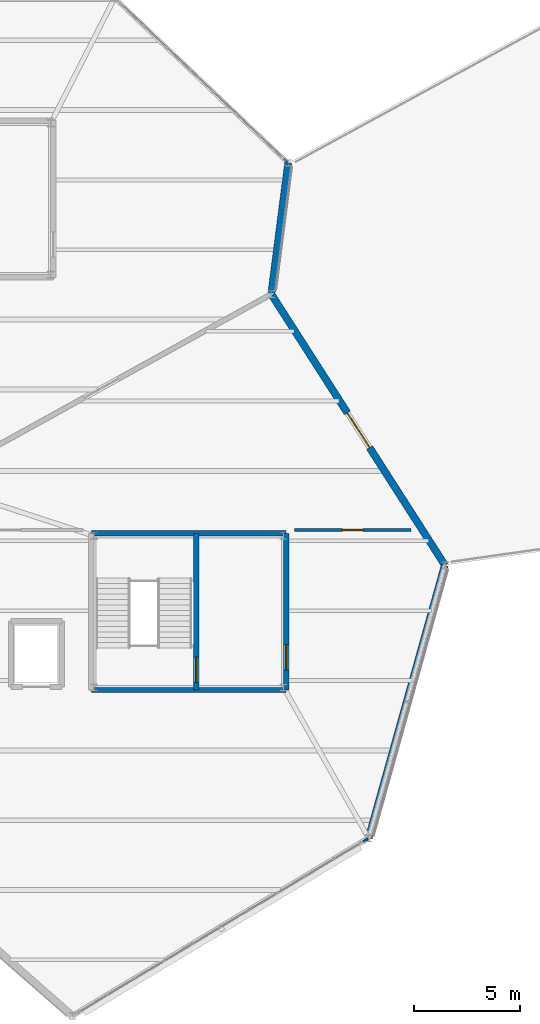
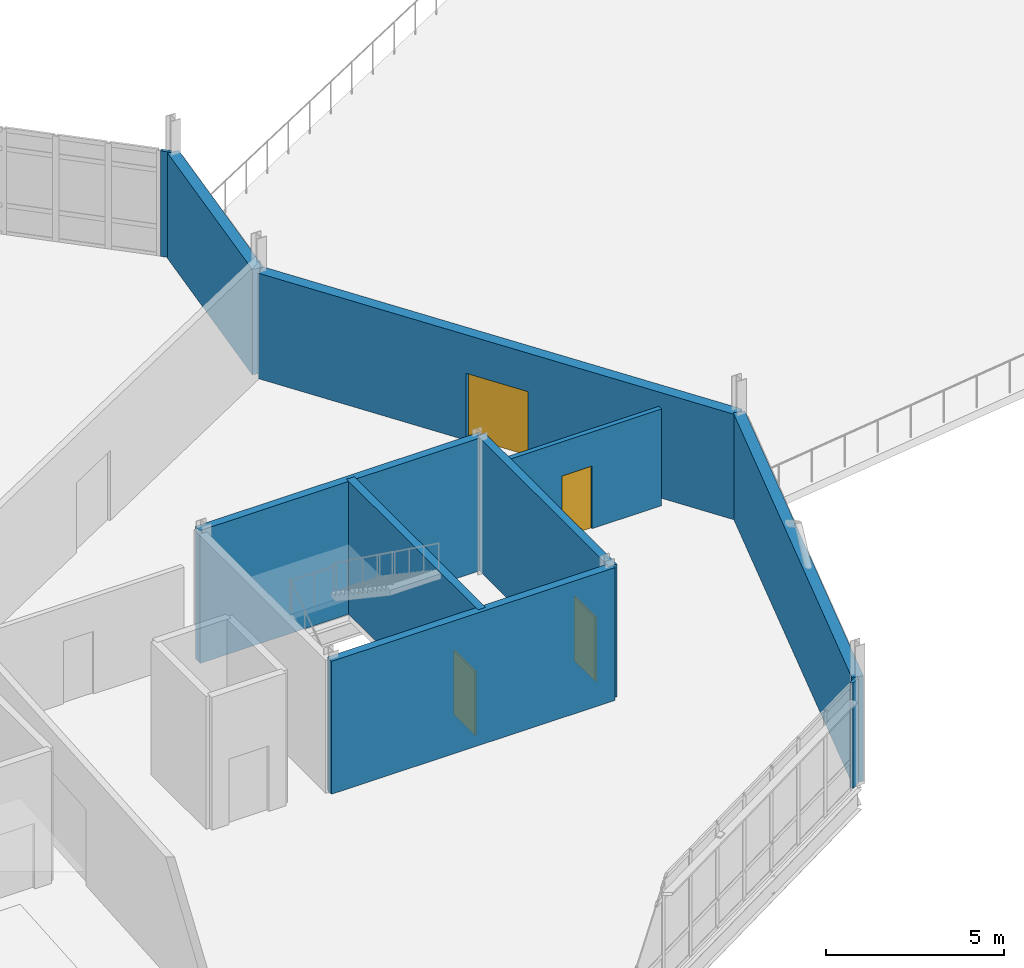
# One storey, part 66 of 76: 10 walls, 4 doors, 4 openings.
"""IFC4 building model written with IfcOpenShell, lengths in metres."""

from ifc_helpers import new_model, si_unit, direction, frame, frame_2d, origin, place, context, subcontext, project, spatial, rectangle, extrude, material, layer, layer_set, type_object, element, fill, save


model = new_model("IFC4")

# Units and contexts
model_context = context("Model", 3, precision=1e-05, world=origin(), true_north=direction((0.0, 1.0)))
body_context = subcontext(model_context, "Body", "Model", "MODEL_VIEW")
ifc_project = project(units=[si_unit("LENGTHUNIT", "METRE"), si_unit("AREAUNIT", "SQUARE_METRE"), si_unit("VOLUMEUNIT", "CUBIC_METRE"), si_unit("PLANEANGLEUNIT", "RADIAN"), si_unit("MASSUNIT", "GRAM", prefix="KILO")], contexts=[model_context])

# Site, building, storey
site_placement = place(None, origin())
site = spatial("IfcSite", under=ifc_project, at=site_placement, CompositionType="ELEMENT")
building_placement = place(site_placement, origin())
building = spatial("IfcBuilding", under=site, at=building_placement, Name="Tameran Prism Museum", CompositionType="ELEMENT")
storey_placement = place(building_placement, frame((0.0, 0.0, 15.0)))
storey = spatial("IfcBuildingStorey", under=building, at=storey_placement, Name="L03", CompositionType="ELEMENT", Elevation=15.0)

# Walls
ifc_material_1 = material(Name="Precast Concrete N40 (40 MPa)", Category="concrete")
ifc_layer_1 = layer(ifc_material_1, 0.094970703125)
ifc_layer_set_1 = layer_set([ifc_layer_1])
wall_type_1 = type_object("IfcWallType", Name="EW-CLOS-095", PredefinedType="SOLIDWALL", material=ifc_layer_set_1)
wall_1_placement = place(storey_placement, frame((139.464111328125, 72.278076171875, 0.0), z_axis=(0.0, 0.0, 1.0), x_axis=(-0.858261853705, -0.513212032668, 0.0)))
element("IfcWall", 1, at=wall_1_placement, inside=storey, type_object=wall_type_1, Name="Facade Corner Closure EW-0364", PredefinedType="SOLIDWALL", context=body_context, shape_type="SweptSolid", body=[
    extrude(rectangle(XDim=0.307861328125, YDim=0.094970703125, at=frame_2d((0.15380859375, 0.0))), origin(), (0.0, 0.0, 1.0), 3.6201171875),
])
wall_2_placement = place(storey_placement, frame((135.446044921875, 104.44091796875, 0.0), z_axis=(0.0, 0.0, 1.0), x_axis=(0.726243974232, -0.687437044311, 0.0)))
element("IfcWall", 2, at=wall_2_placement, inside=storey, type_object=wall_type_1, Name="Facade Corner Closure EW-0370", PredefinedType="SOLIDWALL", context=body_context, shape_type="SweptSolid", body=[
    extrude(rectangle(XDim=0.308349609375, YDim=0.094970703125, at=frame_2d((0.154296875, 0.0))), origin(), (0.0, 0.0, 1.0), 3.6201171875),
])
ifc_material_2 = material(Name="Precast Concrete N40 (40 MPa)", Category="concrete")
ifc_layer_2 = layer(ifc_material_2, 0.340087890625)
ifc_layer_set_2 = layer_set([ifc_layer_2])
wall_type_2 = type_object("IfcWallType", Name="EW-GAL-340", PredefinedType="SOLIDWALL", material=ifc_layer_set_2)
wall_3_placement = place(storey_placement, frame((143.10009765625, 85.199951171875, 0.0), z_axis=(0.0, 0.0, 1.0), x_axis=(-0.268807620494, -0.96319388659, 0.0)))
element("IfcWall", 3, at=wall_3_placement, inside=storey, type_object=wall_type_2, Name="Exterior Fluted Precast Wall EW-0366", PredefinedType="SOLIDWALL", context=body_context, shape_type="SweptSolid", body=[
    extrude(rectangle(XDim=13.392822265625, YDim=0.340087890625, at=frame_2d((6.6962890625, 0.0))), origin(), (0.0, 0.0, 1.0), 3.6201171875),
])

# Wall, opening, door
wall_4_placement = place(storey_placement, frame((134.931884765625, 97.949951171875, 0.0), z_axis=(0.0, 0.0, 1.0), x_axis=(0.539438422375, -0.84202505216, 0.0)))
wall_4 = element("IfcWall", 4, at=wall_4_placement, inside=storey, type_object=wall_type_2, Name="Exterior Fluted Precast Wall EW-0367", PredefinedType="SOLIDWALL", context=body_context, shape_type="SweptSolid", body=[
    extrude(rectangle(XDim=15.14208984375, YDim=0.340087890625, at=frame_2d((7.571044921875, 0.0))), origin(), (0.0, 0.0, 1.0), 3.6201171875),
])
opening_1_placement = place(wall_4_placement, frame((6.595947265625, 0.0, 0.0)))
opening_1 = element("IfcOpeningElement", 5, at=opening_1_placement, cuts=wall_4, Name="Opening TD-19", PredefinedType="OPENING", context=body_context, shape_type="SweptSolid", body=[
    extrude(rectangle(XDim=1.949951171875, YDim=2.300048828125, at=frame_2d((0.97509765625, 1.14990234375))), frame((0.0, 0.179931640625, 0.0), z_axis=(0.0, -1.0, 0.0), x_axis=(1.0, 0.0, 0.0)), (0.0, 0.0, 1.0), 0.360107421875),
])
ifc_material_3 = material(Name="Cyclone-Rated Anodised Aluminium 6063-T6 and Laminated Glass", Category="aluminium")
door_type_1 = type_object("IfcDoorType", Name="DR-TER-195", OperationType="DOUBLE_DOOR_SINGLE_SWING", PredefinedType="DOOR", material=ifc_material_3)
door_1_placement = place(opening_1_placement, origin())
door_1 = element("IfcDoor", 6, at=door_1_placement, inside=storey, type_object=door_type_1, Name="Terrace Access Door TD-19", OperationType="DOUBLE_DOOR_SINGLE_SWING", OverallHeight=2.300048828125, OverallWidth=1.949951171875, PredefinedType="DOOR", context=body_context, shape_type="SweptSolid", body=[
    extrude(rectangle(XDim=1.949951171875, YDim=2.300048828125, at=frame_2d((0.97509765625, 1.14990234375))), frame((0.0, 0.02490234375, 0.0), z_axis=(0.0, -1.0, 0.0), x_axis=(1.0, 0.0, 0.0)), (0.0, 0.0, 1.0), 0.050048828125),
])
fill(opening_1, door_1)

# Walls
wall_5_placement = place(storey_placement, frame((135.699951171875, 104.199951171875, 0.0), z_axis=(0.0, 0.0, 1.0), x_axis=(-0.127911284164, -0.99178561362, 0.0)))
element("IfcWall", 7, at=wall_5_placement, inside=storey, type_object=wall_type_2, Name="Exterior Fluted Precast Wall EW-0368", PredefinedType="SOLIDWALL", context=body_context, shape_type="SweptSolid", body=[
    extrude(rectangle(XDim=6.191650390625, YDim=0.340087890625, at=frame_2d((3.095703125, 0.0))), origin(), (0.0, 0.0, 1.0), 3.6201171875),
])
ifc_material_4 = material(Name="Concrete N40 (40 MPa)", Category="concrete")
ifc_layer_3 = layer(ifc_material_4, 0.25)
ifc_layer_set_3 = layer_set([ifc_layer_3])
wall_type_3 = type_object("IfcWallType", Name="IW-COR-250", PredefinedType="SHEAR", material=ifc_layer_set_3)
for number, where, z_axis, x_axis, name in (
    (8, (126.39990234375, 86.699951171875, 0.0), (0.0, 0.0, 1.0), (1.0, 0.0, 0.0), "Core Shear Wall CW-2-L03-N"),
    (9, (135.60009765625, 79.300048828125, 0.0), (0.0, 0.0, 1.0), (-1.0, 0.0, 0.0), "Core Shear Wall CW-2-L03-S"),
):
    element("IfcWall", number, at=place(storey_placement, frame(where, z_axis=z_axis, x_axis=x_axis)), inside=storey, type_object=wall_type_3, Name=name, PredefinedType="SHEAR", context=body_context, shape_type="SweptSolid", body=[
        extrude(rectangle(XDim=9.2001953125, YDim=0.25, at=frame_2d((4.60009765625, 0.0))), origin(), (0.0, 0.0, 1.0), 4.56005859375),
    ])

# Wall, opening, door
wall_6_placement = place(storey_placement, frame((135.60009765625, 86.699951171875, 0.0), z_axis=(0.0, 0.0, 1.0), x_axis=(0.0, -1.0, 0.0)))
wall_6 = element("IfcWall", 10, at=wall_6_placement, inside=storey, type_object=wall_type_3, Name="Core Shear Wall CW-2-L03-E", PredefinedType="SHEAR", context=body_context, shape_type="SweptSolid", body=[
    extrude(rectangle(XDim=7.39990234375, YDim=0.25, at=frame_2d((3.699951171875, 0.0))), origin(), (0.0, 0.0, 1.0), 4.56005859375),
])
opening_2_placement = place(wall_6_placement, frame((5.25, 0.0, 0.0)))
opening_2 = element("IfcOpeningElement", 11, at=opening_2_placement, cuts=wall_6, Name="Opening FD-0191", PredefinedType="OPENING", context=body_context, shape_type="SweptSolid", body=[
    extrude(rectangle(XDim=1.199951171875, YDim=2.199951171875, at=frame_2d((0.60009765625, 1.10009765625))), frame((0.0, 0.135009765625, 0.0), z_axis=(0.0, -1.0, 0.0), x_axis=(1.0, 0.0, 0.0)), (0.0, 0.0, 1.0), 0.27001953125),
])
ifc_material_5 = material(Name="Fire-Rated Steel Door Leaf and Frame", Category="steel")
door_type_2 = type_object("IfcDoorType", Name="DR-FD-120A", OperationType="NOTDEFINED", PredefinedType="DOOR", material=ifc_material_5)
door_2_placement = place(opening_2_placement, origin())
door_2 = element("IfcDoor", 12, at=door_2_placement, inside=storey, type_object=door_type_2, Name="Core Fire Door FD-0191", OperationType="SINGLE_SWING_LEFT", OverallHeight=2.199951171875, OverallWidth=1.199951171875, PredefinedType="DOOR", context=body_context, shape_type="SweptSolid", body=[
    extrude(rectangle(XDim=1.199951171875, YDim=2.199951171875, at=frame_2d((0.60009765625, 1.10009765625))), frame((0.0, 0.02490234375, 0.0), z_axis=(0.0, -1.0, 0.0), x_axis=(1.0, 0.0, 0.0)), (0.0, 0.0, 1.0), 0.050048828125),
])
fill(opening_2, door_2)

wall_7_placement = place(storey_placement, frame((131.35009765625, 86.699951171875, 0.0), z_axis=(0.0, 0.0, 1.0), x_axis=(0.0, -1.0, 0.0)))
wall_7 = element("IfcWall", 13, at=wall_7_placement, inside=storey, type_object=wall_type_3, Name="Core Shear Wall CW-2-L03-M", PredefinedType="SHEAR", context=body_context, shape_type="SweptSolid", body=[
    extrude(rectangle(XDim=7.39990234375, YDim=0.25, at=frame_2d((3.699951171875, 0.0))), origin(), (0.0, 0.0, 1.0), 4.56005859375),
])
opening_3_placement = place(wall_7_placement, frame((5.85009765625, 0.0, 0.0)))
opening_3 = element("IfcOpeningElement", 14, at=opening_3_placement, cuts=wall_7, Name="Opening FD-0192", PredefinedType="OPENING", context=body_context, shape_type="SweptSolid", body=[
    extrude(rectangle(XDim=1.199951171875, YDim=2.199951171875, at=frame_2d((0.60009765625, 1.10009765625))), frame((0.0, 0.135009765625, 0.0), z_axis=(0.0, -1.0, 0.0), x_axis=(1.0, 0.0, 0.0)), (0.0, 0.0, 1.0), 0.27001953125),
])
door_3_placement = place(opening_3_placement, origin())
door_3 = element("IfcDoor", 15, at=door_3_placement, inside=storey, type_object=door_type_2, Name="Core Fire Door FD-0192", OperationType="SINGLE_SWING_RIGHT", OverallHeight=2.199951171875, OverallWidth=1.199951171875, PredefinedType="DOOR", context=body_context, shape_type="SweptSolid", body=[
    extrude(rectangle(XDim=1.199951171875, YDim=2.199951171875, at=frame_2d((0.60009765625, 1.10009765625))), frame((0.0, 0.02490234375, 0.0), z_axis=(0.0, -1.0, 0.0), x_axis=(1.0, 0.0, 0.0)), (0.0, 0.0, 1.0), 0.050048828125),
])
fill(opening_3, door_3)

ifc_material_6 = material(Name="Laboratory Moisture-Resistant Partition")
ifc_layer_4 = layer(ifc_material_6, 0.14990234375)
ifc_layer_set_4 = layer_set([ifc_layer_4])
wall_type_4 = type_object("IfcWallType", Name="IW-PRT-150", PredefinedType="PARTITIONING", material=ifc_layer_set_4)
wall_8_placement = place(storey_placement, frame((136.0, 86.85888671875, 0.0), z_axis=(0.0, 0.0, 1.0), x_axis=(1.0, 0.0, 0.0)))
wall_8 = element("IfcWall", 16, at=wall_8_placement, inside=storey, type_object=wall_type_4, Name="Internal Partition PT-0147", PredefinedType="PARTITIONING", context=body_context, shape_type="SweptSolid", body=[
    extrude(rectangle(XDim=5.5029296875, YDim=0.14990234375, at=frame_2d((2.75146484375, 0.0))), origin(), (0.0, 0.0, 1.0), 3.320068359375),
])
opening_4_placement = place(wall_8_placement, frame((2.260986328125, 0.0, 0.0)))
opening_4 = element("IfcOpeningElement", 17, at=opening_4_placement, cuts=wall_8, Name="Opening ID-0146", PredefinedType="OPENING", context=body_context, shape_type="SweptSolid", body=[
    extrude(rectangle(XDim=0.97998046875, YDim=2.14990234375, at=frame_2d((0.489990234375, 1.074951171875))), frame((0.0, 0.0849609375, 0.0), z_axis=(0.0, -1.0, 0.0), x_axis=(1.0, 0.0, 0.0)), (0.0, 0.0, 1.0), 0.169921875),
])
ifc_material_7 = material(Name="Acoustic Solid-Core Timber Door", Category="wood")
door_type_3 = type_object("IfcDoorType", Name="DR-INT-098", OperationType="NOTDEFINED", PredefinedType="DOOR", material=ifc_material_7)
door_4_placement = place(opening_4_placement, origin())
door_4 = element("IfcDoor", 18, at=door_4_placement, inside=storey, type_object=door_type_3, Name="Interior Room Door ID-0146", OperationType="SINGLE_SWING_RIGHT", OverallHeight=2.14990234375, OverallWidth=0.97998046875, PredefinedType="DOOR", context=body_context, shape_type="SweptSolid", body=[
    extrude(rectangle(XDim=0.97998046875, YDim=2.14990234375, at=frame_2d((0.489990234375, 1.074951171875))), frame((0.0, 0.02490234375, 0.0), z_axis=(0.0, -1.0, 0.0), x_axis=(1.0, 0.0, 0.0)), (0.0, 0.0, 1.0), 0.050048828125),
])
fill(opening_4, door_4)

save(model, "model.ifc")
